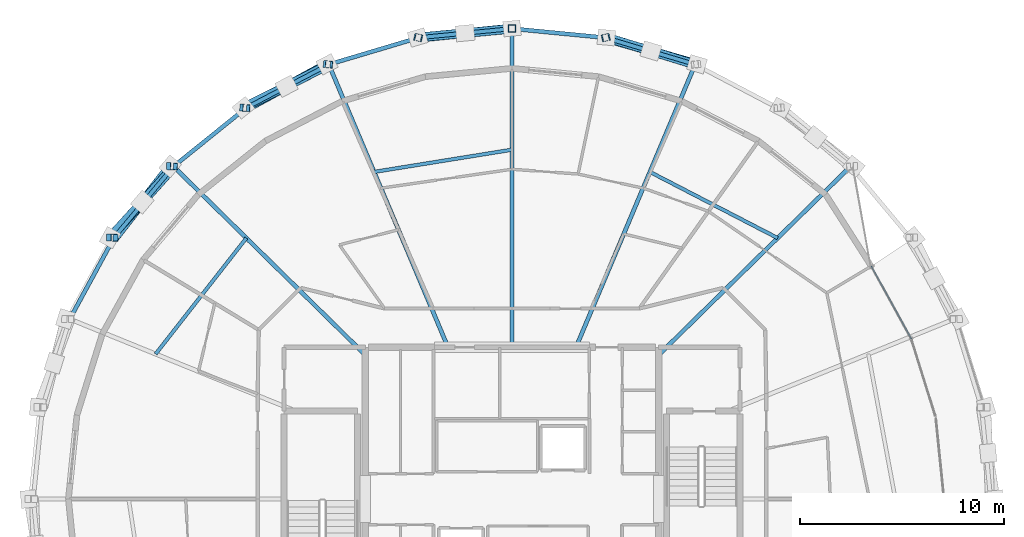
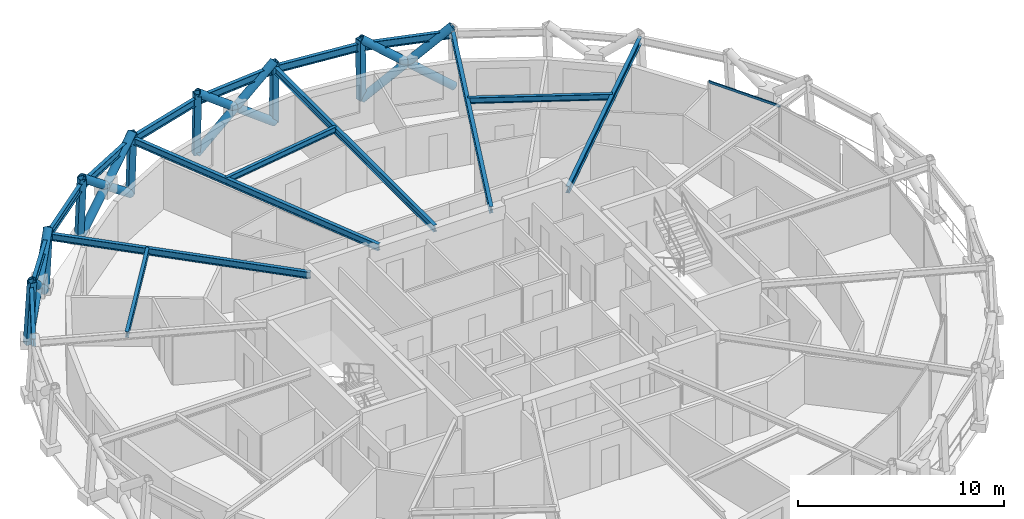
# One storey, part 8 of 16: 20 members, 16 beams, 1 element without a shape of its own.
"""IFC4 building model written with IfcOpenShell, lengths in metres."""

from ifc_helpers import new_model, si_unit, direction, frame, origin, origin_2d, place, context, subcontext, project, spatial, hollow_rectangle, hollow_circle, i_section, extrude, material, layer, layer_set, material_profile, profile_set, type_object, element, aggregate, save


model = new_model("IFC4")

# Units and contexts
model_context = context("Model", 3, precision=1e-05, world=origin(), true_north=direction((0.0, 1.0)))
body_context = subcontext(model_context, "Body", "Model", "MODEL_VIEW")
ifc_project = project(units=[si_unit("LENGTHUNIT", "METRE"), si_unit("AREAUNIT", "SQUARE_METRE"), si_unit("VOLUMEUNIT", "CUBIC_METRE"), si_unit("PLANEANGLEUNIT", "RADIAN"), si_unit("MASSUNIT", "GRAM", prefix="KILO")], contexts=[model_context])

# Site, building, storey
site_placement = place(None, origin())
site = spatial("IfcSite", under=ifc_project, at=site_placement, CompositionType="ELEMENT")
building_placement = place(site_placement, origin())
building = spatial("IfcBuilding", under=site, at=building_placement, Name="Veldorina Hangang Commons", CompositionType="ELEMENT")
storey_placement = place(building_placement, frame((0.0, 0.0, 240.0)))
storey = spatial("IfcBuildingStorey", under=building, at=storey_placement, Name="L62", CompositionType="ELEMENT", Elevation=240.0)

# Beams
ifc_material_1 = material(Name="Steel SM355-TMC", Category="steel")
ifc_material_profile_1 = material_profile(ifc_material_1, i_section(OverallWidth=0.199951171875, OverallDepth=0.39990234375, WebThickness=0.008056640625, FlangeThickness=0.012939453125, FilletRadius=0.012939453125, at=origin_2d()), Name="H-400x200x8x13")
ifc_profile_set_1 = profile_set([ifc_material_profile_1], Name="Steel SM355-TMC")
beam_type_1 = type_object("IfcBeamType", Name="BM-FG400", PredefinedType="BEAM", material=ifc_profile_set_1)
beam_1_placement = place(storey_placement, frame((39.199951171875, 31.07568359375, 3.159912109375), z_axis=(0.713224264229, 0.700935909278, 0.0), x_axis=(-0.700935909278, 0.713224264229, 0.0)))
element("IfcBeam", 1, at=beam_1_placement, inside=storey, type_object=beam_type_1, Name="L62 radial floor girder 03", PredefinedType="BEAM", context=body_context, shape_type="SweptSolid", body=[
    extrude(i_section(OverallWidth=0.199951171875, OverallDepth=0.39990234375, WebThickness=0.008056640625, FlangeThickness=0.012939453125, FilletRadius=0.012939453125, at=origin_2d()), origin(), (0.0, 0.0, 1.0), 13.192138671875),
])
beam_2_placement = place(storey_placement, frame((35.139892578125, 31.449951171875, 3.159912109375), z_axis=(0.38839618575, 0.921492486619, 0.0), x_axis=(-0.921492486619, 0.38839618575, 0.0)))
element("IfcBeam", 2, at=beam_2_placement, inside=storey, type_object=beam_type_1, Name="L62 radial floor girder 04", PredefinedType="BEAM", context=body_context, shape_type="SweptSolid", body=[
    extrude(i_section(OverallWidth=0.199951171875, OverallDepth=0.39990234375, WebThickness=0.008056640625, FlangeThickness=0.012939453125, FilletRadius=0.012939453125, at=origin_2d()), origin(), (0.0, 0.0, 1.0), 15.058349609375),
])
beam_3_placement = place(storey_placement, frame((32.0, 31.449951171875, 3.159912109375), z_axis=(0.0, 1.0, 0.0), x_axis=(-1.0, 0.0, 0.0)))
element("IfcBeam", 3, at=beam_3_placement, inside=storey, type_object=beam_type_1, Name="L62 radial floor girder 05", PredefinedType="BEAM", context=body_context, shape_type="SweptSolid", body=[
    extrude(i_section(OverallWidth=0.199951171875, OverallDepth=0.39990234375, WebThickness=0.008056640625, FlangeThickness=0.012939453125, FilletRadius=0.012939453125, at=origin_2d()), origin(), (0.0, 0.0, 1.0), 15.633544921875),
])
beam_4_placement = place(storey_placement, frame((28.860107421875, 31.449951171875, 3.159912109375), z_axis=(-0.38839618575, 0.921492486619, 0.0), x_axis=(-0.921492486619, -0.38839618575, 0.0)))
element("IfcBeam", 4, at=beam_4_placement, inside=storey, type_object=beam_type_1, Name="L62 radial floor girder 06", PredefinedType="BEAM", context=body_context, shape_type="SweptSolid", body=[
    extrude(i_section(OverallWidth=0.199951171875, OverallDepth=0.39990234375, WebThickness=0.008056640625, FlangeThickness=0.012939453125, FilletRadius=0.012939453125, at=origin_2d()), origin(), (0.0, 0.0, 1.0), 15.058349609375),
])
beam_5_placement = place(storey_placement, frame((24.800048828125, 31.07568359375, 3.159912109375), z_axis=(-0.713224264229, 0.700935909278, 0.0), x_axis=(-0.700935909278, -0.713224264229, 0.0)))
element("IfcBeam", 5, at=beam_5_placement, inside=storey, type_object=beam_type_1, Name="L62 radial floor girder 07", PredefinedType="BEAM", context=body_context, shape_type="SweptSolid", body=[
    extrude(i_section(OverallWidth=0.199951171875, OverallDepth=0.39990234375, WebThickness=0.008056640625, FlangeThickness=0.012939453125, FilletRadius=0.012939453125, at=origin_2d()), origin(), (0.0, 0.0, 1.0), 13.192138671875),
])
ifc_material_profile_2 = material_profile(ifc_material_1, i_section(OverallWidth=0.175048828125, OverallDepth=0.35009765625, WebThickness=0.007080078125, FlangeThickness=0.010986328125, FilletRadius=0.012939453125, at=origin_2d()), Name="H-350x175x7x11")
ifc_profile_set_2 = profile_set([ifc_material_profile_2], Name="Steel SM355-TMC")
beam_type_2 = type_object("IfcBeamType", Name="BM-JST350", PredefinedType="JOIST", material=ifc_profile_set_2)
beam_6_placement = place(storey_placement, frame((45.033447265625, 36.80859375, 3.18505859375), z_axis=(-0.888049646343, 0.45974756729, 0.0), x_axis=(-0.45974756729, -0.888049646343, 0.0)))
element("IfcBeam", 6, at=beam_6_placement, inside=storey, type_object=beam_type_2, Name="L62 secondary floor joist 03", PredefinedType="JOIST", context=body_context, shape_type="SweptSolid", body=[
    extrude(i_section(OverallWidth=0.175048828125, OverallDepth=0.35009765625, WebThickness=0.007080078125, FlangeThickness=0.010986328125, FilletRadius=0.012939453125, at=origin_2d()), origin(), (0.0, 0.0, 1.0), 7.057373046875),
])
beam_7_placement = place(storey_placement, frame((32.0, 41.142578125, 3.18505859375), z_axis=(-0.987285882717, -0.158954665825, 0.0), x_axis=(0.158954665825, -0.987285882717, 0.0)))
element("IfcBeam", 7, at=beam_7_placement, inside=storey, type_object=beam_type_2, Name="L62 secondary floor joist 05", PredefinedType="JOIST", context=body_context, shape_type="SweptSolid", body=[
    extrude(i_section(OverallWidth=0.175048828125, OverallDepth=0.35009765625, WebThickness=0.007080078125, FlangeThickness=0.010986328125, FilletRadius=0.012939453125, at=origin_2d()), origin(), (0.0, 0.0, 1.0), 6.853271484375),
])
beam_8_placement = place(storey_placement, frame((18.966552734375, 36.80859375, 3.18505859375), z_axis=(-0.616344701975, -0.787476481139, 0.0), x_axis=(0.787476481139, -0.616344701975, 0.0)))
element("IfcBeam", 8, at=beam_8_placement, inside=storey, type_object=beam_type_2, Name="L62 secondary floor joist 07", PredefinedType="JOIST", context=body_context, shape_type="SweptSolid", body=[
    extrude(i_section(OverallWidth=0.175048828125, OverallDepth=0.35009765625, WebThickness=0.007080078125, FlangeThickness=0.010986328125, FilletRadius=0.012939453125, at=origin_2d()), origin(), (0.0, 0.0, 1.0), 7.225830078125),
])
ifc_material_profile_3 = material_profile(ifc_material_1, i_section(OverallWidth=0.199951171875, OverallDepth=0.449951171875, WebThickness=0.009033203125, FlangeThickness=0.013916015625, FilletRadius=0.01611328125, at=origin_2d()), Name="H-450x200x9x14")
ifc_profile_set_3 = profile_set([ifc_material_profile_3], Name="Steel SM355-TMC")
beam_type_3 = type_object("IfcBeamType", Name="BM-RB450", PredefinedType="BEAM", material=ifc_profile_set_3)
beam_9_placement = place(storey_placement, frame((40.988525390625, 45.326171875, 3.135009765625), z_axis=(-0.958308680309, 0.285734970286, 0.0), x_axis=(-0.285734970286, -0.958308680309, 0.0)))
element("IfcBeam", 9, at=beam_9_placement, inside=storey, type_object=beam_type_3, Name="L62 perimeter hoop ring beam 06", PredefinedType="BEAM", context=body_context, shape_type="SweptSolid", body=[
    extrude(i_section(OverallWidth=0.199951171875, OverallDepth=0.449951171875, WebThickness=0.009033203125, FlangeThickness=0.013916015625, FilletRadius=0.01611328125, at=origin_2d()), origin(), (0.0, 0.0, 1.0), 4.59765625),
])
for number, where, z_axis, x_axis, name in (
    (10, (36.58251953125, 46.639892578125, 3.135009765625), (-0.995347225036, 0.096353005215, 0.0), (-0.096353005215, -0.995347225036, 0.0), "L62 perimeter hoop ring beam 07"),
    (11, (32.0, 47.08349609375, 3.135009765625), (-0.995347225036, -0.096353005215, 0.0), (0.096353005215, -0.995347225036, 0.0), "L62 perimeter hoop ring beam 08"),
):
    element("IfcBeam", number, at=place(storey_placement, frame(where, z_axis=z_axis, x_axis=x_axis)), inside=storey, type_object=beam_type_3, Name=name, PredefinedType="BEAM", context=body_context, shape_type="SweptSolid", body=[
        extrude(i_section(OverallWidth=0.199951171875, OverallDepth=0.449951171875, WebThickness=0.009033203125, FlangeThickness=0.013916015625, FilletRadius=0.01611328125, at=origin_2d()), origin(), (0.0, 0.0, 1.0), 4.60400390625),
    ])
beam_10_placement = place(storey_placement, frame((27.41748046875, 46.639892578125, 3.135009765625), z_axis=(-0.958308680309, -0.285734970286, 0.0), x_axis=(0.285734970286, -0.958308680309, 0.0)))
element("IfcBeam", 12, at=beam_10_placement, inside=storey, type_object=beam_type_3, Name="L62 perimeter hoop ring beam 09", PredefinedType="BEAM", context=body_context, shape_type="SweptSolid", body=[
    extrude(i_section(OverallWidth=0.199951171875, OverallDepth=0.449951171875, WebThickness=0.009033203125, FlangeThickness=0.013916015625, FilletRadius=0.01611328125, at=origin_2d()), origin(), (0.0, 0.0, 1.0), 4.59765625),
])
beam_11_placement = place(storey_placement, frame((23.011474609375, 45.326171875, 3.135009765625), z_axis=(-0.885295472957, -0.465028951315, 0.0), x_axis=(0.465028951315, -0.885295472957, 0.0)))
element("IfcBeam", 13, at=beam_11_placement, inside=storey, type_object=beam_type_3, Name="L62 perimeter hoop ring beam 10", PredefinedType="BEAM", context=body_context, shape_type="SweptSolid", body=[
    extrude(i_section(OverallWidth=0.199951171875, OverallDepth=0.449951171875, WebThickness=0.009033203125, FlangeThickness=0.013916015625, FilletRadius=0.01611328125, at=origin_2d()), origin(), (0.0, 0.0, 1.0), 4.5869140625),
])
beam_12_placement = place(storey_placement, frame((18.95068359375, 43.193115234375, 3.135009765625), z_axis=(-0.778414722613, -0.627750364093, 0.0), x_axis=(0.627750364093, -0.778414722613, 0.0)))
element("IfcBeam", 14, at=beam_12_placement, inside=storey, type_object=beam_type_3, Name="L62 perimeter hoop ring beam 11", PredefinedType="BEAM", context=body_context, shape_type="SweptSolid", body=[
    extrude(i_section(OverallWidth=0.199951171875, OverallDepth=0.449951171875, WebThickness=0.009033203125, FlangeThickness=0.013916015625, FilletRadius=0.01611328125, at=origin_2d()), origin(), (0.0, 0.0, 1.0), 4.57275390625),
])
beam_13_placement = place(storey_placement, frame((15.39111328125, 40.322509765625, 3.135009765625), z_axis=(-0.640942886525, -0.767588572227, 0.0), x_axis=(0.767588572227, -0.640942886525, 0.0)))
element("IfcBeam", 15, at=beam_13_placement, inside=storey, type_object=beam_type_3, Name="L62 perimeter hoop ring beam 12", PredefinedType="BEAM", context=body_context, shape_type="SweptSolid", body=[
    extrude(i_section(OverallWidth=0.199951171875, OverallDepth=0.449951171875, WebThickness=0.009033203125, FlangeThickness=0.013916015625, FilletRadius=0.01611328125, at=origin_2d()), origin(), (0.0, 0.0, 1.0), 4.55712890625),
])
beam_14_placement = place(storey_placement, frame((12.47021484375, 36.824462890625, 3.135009765625), z_axis=(-0.477793774257, -0.878472031018, 0.0), x_axis=(0.878472031018, -0.477793774257, 0.0)))
element("IfcBeam", 16, at=beam_14_placement, inside=storey, type_object=beam_type_3, Name="L62 perimeter hoop ring beam 13", PredefinedType="BEAM", context=body_context, shape_type="SweptSolid", body=[
    extrude(i_section(OverallWidth=0.199951171875, OverallDepth=0.449951171875, WebThickness=0.009033203125, FlangeThickness=0.013916015625, FilletRadius=0.01611328125, at=origin_2d()), origin(), (0.0, 0.0, 1.0), 4.54296875),
])

# Curtain wall, member
ifc_material_2 = material(Name="Glass Low-E Selective", Category="glass")
ifc_layer = layer(ifc_material_2, 0.179931640625)
ifc_layer_set = layer_set([ifc_layer], Name="Glass Low-E Selective")
curtain_wall_type = type_object("IfcCurtainWallType", Name="CW-SYS-Z3", PredefinedType="NOTDEFINED", material=ifc_layer_set)
curtain_wall_placement = place(storey_placement, origin())
curtain_wall = element("IfcCurtainWall", 17, at=curtain_wall_placement, inside=storey, type_object=curtain_wall_type, Name="L62 unitised curtain wall CW-L62-R2", PredefinedType="NOTDEFINED")
ifc_material_3 = material(Name="Aluminium Anodized AA6063-T6", Category="aluminium")
ifc_material_profile_4 = material_profile(ifc_material_3, hollow_rectangle(XDim=0.06005859375, YDim=0.139892578125, WallThickness=0.00341796875, at=origin_2d()), Name="ALU-RHS-140x60x3.5")
ifc_profile_set_4 = profile_set([ifc_material_profile_4], Name="Aluminium Anodized AA6063-T6")
member_type_1 = type_object("IfcMemberType", Name="CW-TRN-140", PredefinedType="USERDEFINED", material=ifc_profile_set_4)
member_1_placement = place(storey_placement, frame((51.59130859375, 31.873291015625, 3.280029296875), z_axis=(-0.482567107431, 0.875858999397, 0.0), x_axis=(-0.875858999397, -0.482567107431, 0.0)))
member_1 = element("IfcMember", 18, at=member_1_placement, type_object=member_type_1, Name="CW-L62-R2 facet 5 transom 1", ObjectType="TRANSOM", PredefinedType="USERDEFINED", context=body_context, shape_type="SweptSolid", body=[
    extrude(hollow_rectangle(XDim=0.06005859375, YDim=0.139892578125, WallThickness=0.00341796875, at=origin_2d()), origin(), (0.0, 0.0, 1.0), 4.06103515625),
])
aggregate(curtain_wall, [member_1])

# Members
ifc_material_profile_5 = material_profile(ifc_material_1, hollow_circle(Radius=0.22509765625, WallThickness=0.02197265625, at=origin_2d()), Name="CHS-450x22")
ifc_profile_set_5 = profile_set([ifc_material_profile_5], Name="Steel SM355-TMC")
member_type_2 = type_object("IfcMemberType", Name="DG-CHS450", PredefinedType="BRACE", material=ifc_profile_set_5)
member_2_placement = place(storey_placement, frame((41.079345703125, 45.3359375, 0.0), z_axis=(-0.761933739674, 0.22030326146, 0.609034850674), x_axis=(-0.277759664082, -0.960650596736, 0.0)))
element("IfcMember", 19, at=member_2_placement, inside=storey, type_object=member_type_2, Name="L62 continuous perimeter diagrid brace 06", PredefinedType="BRACE", context=body_context, shape_type="SweptSolid", body=[
    extrude(hollow_circle(Radius=0.22509765625, WallThickness=0.02197265625, at=origin_2d()), origin(), (0.0, 0.0, 1.0), 5.9111328125),
])
member_3_placement = place(storey_placement, frame((36.628662109375, 46.650146484375, 0.0), z_axis=(0.750423375396, -0.226375344459, 0.620982255045), x_axis=(0.288808667074, 0.95738683604, 0.0)))
element("IfcMember", 20, at=member_3_placement, inside=storey, type_object=member_type_2, Name="L62 split perimeter diagrid lower brace 07", PredefinedType="BRACE", context=body_context, shape_type="SweptSolid", body=[
    extrude(hollow_circle(Radius=0.22509765625, WallThickness=0.02197265625, at=origin_2d()), origin(), (0.0, 0.0, 1.0), 2.9140625),
])
member_4_placement = place(storey_placement, frame((38.8154296875, 45.990478515625, 1.8095703125), z_axis=(0.7490270518, -0.230906259356, 0.62099981889), x_axis=(0.294594418262, 0.955622377683, 0.0)))
element("IfcMember", 21, at=member_4_placement, inside=storey, type_object=member_type_2, Name="L62 split perimeter diagrid upper brace 07", PredefinedType="BRACE", context=body_context, shape_type="SweptSolid", body=[
    extrude(hollow_circle(Radius=0.22509765625, WallThickness=0.02197265625, at=origin_2d()), origin(), (0.0, 0.0, 1.0), 2.88330078125),
])
member_5_placement = place(storey_placement, frame((32.0, 47.093994140625, 0.0), z_axis=(-0.783494231571, -0.078052597532, 0.616477559295), x_axis=(0.099130462045, -0.995074445202, 0.0)))
element("IfcMember", 22, at=member_5_placement, inside=storey, type_object=member_type_2, Name="L62 continuous perimeter diagrid brace 08", PredefinedType="BRACE", context=body_context, shape_type="SweptSolid", body=[
    extrude(hollow_circle(Radius=0.22509765625, WallThickness=0.02197265625, at=origin_2d()), origin(), (0.0, 0.0, 1.0), 5.83984375),
])
member_6_placement = place(storey_placement, frame((27.371337890625, 46.650146484375, 0.0), z_axis=(0.787314837592, 0.072579941504, 0.612264239197), x_axis=(-0.091797440922, 0.995777701016, 0.0)))
element("IfcMember", 23, at=member_6_placement, inside=storey, type_object=member_type_2, Name="L62 split perimeter diagrid lower brace 09", PredefinedType="BRACE", context=body_context, shape_type="SweptSolid", body=[
    extrude(hollow_circle(Radius=0.22509765625, WallThickness=0.02197265625, at=origin_2d()), origin(), (0.0, 0.0, 1.0), 2.956787109375),
])
member_7_placement = place(storey_placement, frame((29.69921875, 46.86474609375, 1.810302734375), z_axis=(0.787123731075, 0.074252228027, 0.612309430445), x_axis=(-0.093916667549, 0.995580061852, 0.0)))
element("IfcMember", 24, at=member_7_placement, inside=storey, type_object=member_type_2, Name="L62 split perimeter diagrid upper brace 09", PredefinedType="BRACE", context=body_context, shape_type="SweptSolid", body=[
    extrude(hollow_circle(Radius=0.22509765625, WallThickness=0.02197265625, at=origin_2d()), origin(), (0.0, 0.0, 1.0), 2.923095703125),
])
member_8_placement = place(storey_placement, frame((22.920654296875, 45.3359375, 0.0), z_axis=(-0.685984980166, -0.372308268699, 0.625148910297), x_axis=(0.477009152846, -0.878898326373, 0.0)))
element("IfcMember", 25, at=member_8_placement, inside=storey, type_object=member_type_2, Name="L62 continuous perimeter diagrid brace 10", PredefinedType="BRACE", context=body_context, shape_type="SweptSolid", body=[
    extrude(hollow_circle(Radius=0.22509765625, WallThickness=0.02197265625, at=origin_2d()), origin(), (0.0, 0.0, 1.0), 5.7587890625),
])
member_9_placement = place(storey_placement, frame((18.81884765625, 43.201904296875, 0.0), z_axis=(0.710917215308, 0.354925809095, 0.607144449877), x_axis=(-0.446677089928, 0.894695242713, 0.0)))
element("IfcMember", 26, at=member_9_placement, inside=storey, type_object=member_type_2, Name="L62 split perimeter diagrid lower brace 11", PredefinedType="BRACE", context=body_context, shape_type="SweptSolid", body=[
    extrude(hollow_circle(Radius=0.22509765625, WallThickness=0.02197265625, at=origin_2d()), origin(), (0.0, 0.0, 1.0), 2.978515625),
])
member_10_placement = place(storey_placement, frame((20.936279296875, 44.259033203125, 1.808349609375), z_axis=(0.707769232071, 0.361123635066, 0.607167550458), x_axis=(-0.454487201878, 0.890753267369, 0.0)))
element("IfcMember", 27, at=member_10_placement, inside=storey, type_object=member_type_2, Name="L62 split perimeter diagrid upper brace 11", PredefinedType="BRACE", context=body_context, shape_type="SweptSolid", body=[
    extrude(hollow_circle(Radius=0.22509765625, WallThickness=0.02197265625, at=origin_2d()), origin(), (0.0, 0.0, 1.0), 2.950927734375),
])
member_11_placement = place(storey_placement, frame((15.2236328125, 40.329833984375, 0.0), z_axis=(-0.476553738254, -0.613395302814, 0.629795789952), x_axis=(0.789683699522, -0.613514184603, 0.0)))
element("IfcMember", 28, at=member_11_placement, inside=storey, type_object=member_type_2, Name="L62 continuous perimeter diagrid brace 12", PredefinedType="BRACE", context=body_context, shape_type="SweptSolid", body=[
    extrude(hollow_circle(Radius=0.22509765625, WallThickness=0.02197265625, at=origin_2d()), origin(), (0.0, 0.0, 1.0), 5.71630859375),
])
member_12_placement = place(storey_placement, frame((12.273193359375, 36.830322265625, 0.0), z_axis=(0.53412929773, 0.587122560361, 0.608270492809), x_axis=(-0.739700783176, 0.672935919214, 0.0)))
element("IfcMember", 29, at=member_12_placement, inside=storey, type_object=member_type_2, Name="L62 split perimeter diagrid lower brace 13", PredefinedType="BRACE", context=body_context, shape_type="SweptSolid", body=[
    extrude(hollow_circle(Radius=0.22509765625, WallThickness=0.02197265625, at=origin_2d()), origin(), (0.0, 0.0, 1.0), 2.966796875),
])
member_13_placement = place(storey_placement, frame((13.85791015625, 38.572265625, 1.8046875), z_axis=(0.527935616071, 0.592624687173, 0.608341980663), x_axis=(-0.746684314814, 0.665178573024, 0.0)))
element("IfcMember", 30, at=member_13_placement, inside=storey, type_object=member_type_2, Name="L62 split perimeter diagrid upper brace 13", PredefinedType="BRACE", context=body_context, shape_type="SweptSolid", body=[
    extrude(hollow_circle(Radius=0.22509765625, WallThickness=0.02197265625, at=origin_2d()), origin(), (0.0, 0.0, 1.0), 2.951416015625),
])
ifc_material_profile_6 = material_profile(ifc_material_1, hollow_rectangle(XDim=0.35009765625, YDim=0.35009765625, WallThickness=0.01611328125, at=origin_2d()), Name="SHS-350x350x16")
ifc_profile_set_6 = profile_set([ifc_material_profile_6], Name="Steel SM355-TMC")
member_type_3 = type_object("IfcMemberType", Name="STR-SHS350", PredefinedType="STRUT", material=ifc_profile_set_6)
member_14_placement = place(storey_placement, frame((36.628662109375, 46.650146484375, 0.0), z_axis=(-0.014781973284, -0.003322553628, 0.999885220364), x_axis=(0.219299197918, -0.975657656042, 0.0)))
element("IfcMember", 31, at=member_14_placement, inside=storey, type_object=member_type_3, Name="L62 perimeter ring node post 07", PredefinedType="STRUT", context=body_context, shape_type="SweptSolid", body=[
    extrude(hollow_rectangle(XDim=0.35009765625, YDim=0.35009765625, WallThickness=0.01611328125, at=origin_2d()), origin(), (0.0, 0.0, 1.0), 3.6005859375),
])
member_15_placement = place(storey_placement, frame((32.0, 47.093994140625, 0.0), z_axis=(0.0, -0.003390730542, 0.999994251457), x_axis=(1.0, 0.0, 0.0)))
element("IfcMember", 32, at=member_15_placement, inside=storey, type_object=member_type_3, Name="L62 perimeter ring node post 08", PredefinedType="STRUT", context=body_context, shape_type="SweptSolid", body=[
    extrude(hollow_rectangle(XDim=0.35009765625, YDim=0.35009765625, WallThickness=0.01611328125, at=origin_2d()), origin(), (0.0, 0.0, 1.0), 3.60009765625),
])
member_16_placement = place(storey_placement, frame((27.371337890625, 46.650146484375, 0.0), z_axis=(0.014781973284, -0.003322553628, 0.999885220364), x_axis=(0.219299197918, 0.975657656042, 0.0)))
element("IfcMember", 33, at=member_16_placement, inside=storey, type_object=member_type_3, Name="L62 perimeter ring node post 09", PredefinedType="STRUT", context=body_context, shape_type="SweptSolid", body=[
    extrude(hollow_rectangle(XDim=0.35009765625, YDim=0.35009765625, WallThickness=0.01611328125, at=origin_2d()), origin(), (0.0, 0.0, 1.0), 3.6005859375),
])
member_17_placement = place(storey_placement, frame((22.920654296875, 45.3359375, 0.0), z_axis=(0.028944731861, -0.003118167835, 0.999576149939), x_axis=(0.107108611239, 0.994247326071, 0.0)))
element("IfcMember", 34, at=member_17_placement, inside=storey, type_object=member_type_3, Name="L62 perimeter ring node post 10", PredefinedType="STRUT", context=body_context, shape_type="SweptSolid", body=[
    extrude(hollow_rectangle(XDim=0.35009765625, YDim=0.35009765625, WallThickness=0.01611328125, at=origin_2d()), origin(), (0.0, 0.0, 1.0), 3.6015625),
])
member_18_placement = place(storey_placement, frame((18.81884765625, 43.201904296875, 0.0), z_axis=(0.042008023539, -0.002777949944, 0.999113411457), x_axis=(0.065984912024, 0.997820620846, 0.0)))
element("IfcMember", 35, at=member_18_placement, inside=storey, type_object=member_type_3, Name="L62 perimeter ring node post 11", PredefinedType="STRUT", context=body_context, shape_type="SweptSolid", body=[
    extrude(hollow_rectangle(XDim=0.35009765625, YDim=0.35009765625, WallThickness=0.01611328125, at=origin_2d()), origin(), (0.0, 0.0, 1.0), 3.603271484375),
])
member_19_placement = place(storey_placement, frame((15.2236328125, 40.329833984375, 0.0), z_axis=(0.053361933428, -0.002370136637, 0.99857242427), x_axis=(0.04437249613, 0.999015055736, 0.0)))
element("IfcMember", 36, at=member_19_placement, inside=storey, type_object=member_type_3, Name="L62 perimeter ring node post 12", PredefinedType="STRUT", context=body_context, shape_type="SweptSolid", body=[
    extrude(hollow_rectangle(XDim=0.35009765625, YDim=0.35009765625, WallThickness=0.01611328125, at=origin_2d()), origin(), (0.0, 0.0, 1.0), 3.605224609375),
])
member_20_placement = place(storey_placement, frame((12.273193359375, 36.830322265625, 0.0), z_axis=(0.06274054137, -0.001895075683, 0.998028072329), x_axis=(0.030191193071, 0.999544142027, 0.0)))
element("IfcMember", 37, at=member_20_placement, inside=storey, type_object=member_type_3, Name="L62 perimeter ring node post 13", PredefinedType="STRUT", context=body_context, shape_type="SweptSolid", body=[
    extrude(hollow_rectangle(XDim=0.35009765625, YDim=0.35009765625, WallThickness=0.01611328125, at=origin_2d()), origin(), (0.0, 0.0, 1.0), 3.607177734375),
])

save(model, "model.ifc")
